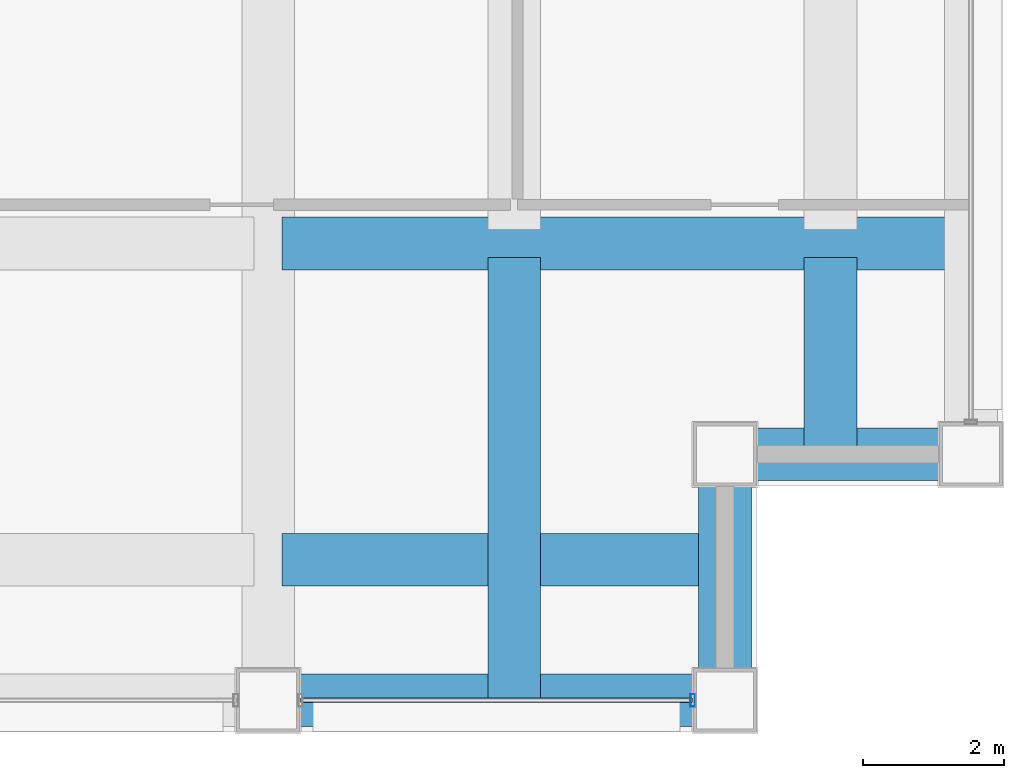
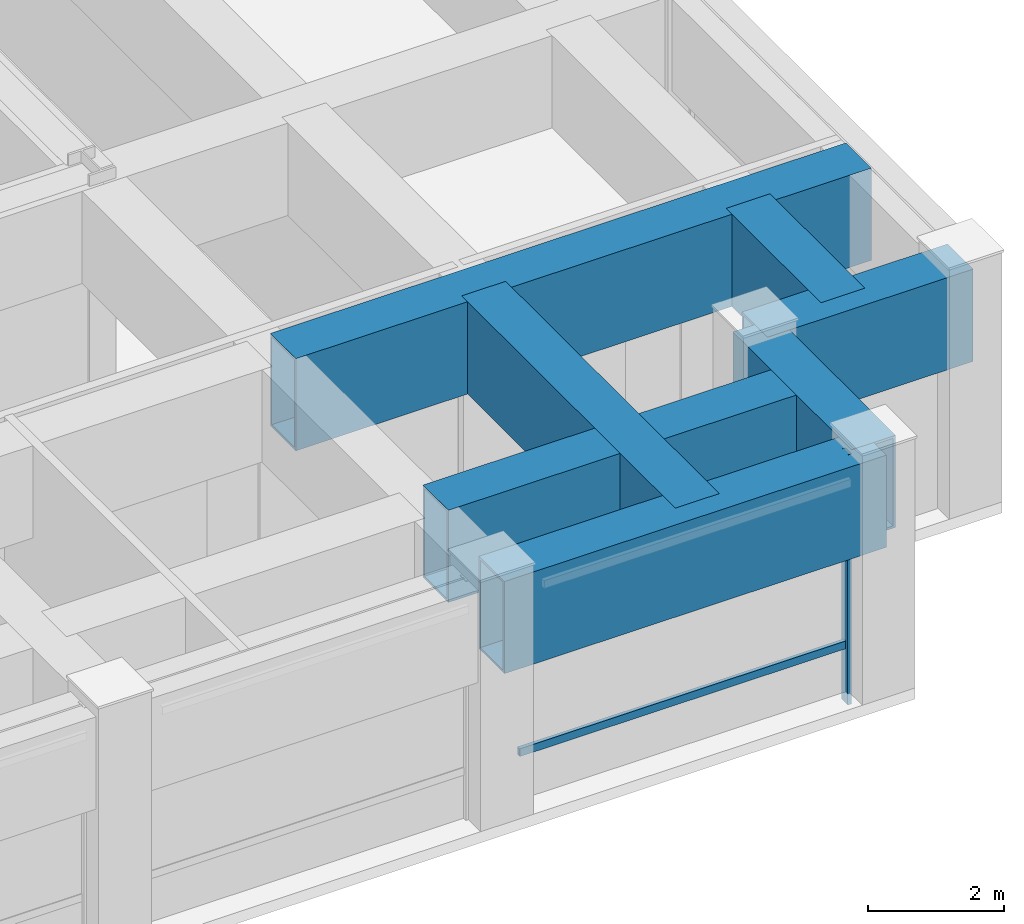
# One storey, part 12 of 29: 7 beams, 2 members, 1 element without a shape of its own.
"""IFC4 building model written with IfcOpenShell, lengths in metres."""

import ifcopenshell
import ifcopenshell.guid

model = None  # the IFC model being written
_history = None  # IfcOwnerHistory: only IFC2X3 demands one
_inside = {}  # id of a spatial element -> (the spatial element, [elements in it])
_under = {}  # id of a project, library or spatial element -> (it, [spatial elements below it])
_declared = {}  # id of a project -> (the project, [libraries it declares])
_typed = {}  # id of a type object -> (the type object, [elements of that type])
_made_of = {}  # id of a material, layer set ... -> (it, [elements and type objects made of it])


def new_model(schema):
    """Start an empty IFC model of exactly this schema.

    Asked for "IFC4X3", IfcOpenShell would pick the latest addendum, in which some entities
    have other attributes; the version numbers below select the first issue.
    IFC2X3 requires an IfcOwnerHistory on every rooted entity: one is made here for all.
    """
    global model, _history
    if schema == "IFC4X3":
        model = ifcopenshell.file(schema_version=(4, 3, 0, 0))
    else:
        model = ifcopenshell.file(schema=schema)
    _inside.clear()
    _under.clear()
    _declared.clear()
    _typed.clear()
    _made_of.clear()
    _history = None
    if model.schema == "IFC2X3":
        org = make("IfcOrganization", Name="unknown")
        user = make(
            "IfcPersonAndOrganization",
            ThePerson=make("IfcPerson", FamilyName="unknown"),
            TheOrganization=org,
        )
        app = make(
            "IfcApplication",
            ApplicationDeveloper=org,
            Version="unknown",
            ApplicationFullName="unknown",
            ApplicationIdentifier="unknown",
        )
        _history = make(
            "IfcOwnerHistory",
            OwningUser=user,
            OwningApplication=app,
            ChangeAction="ADDED",
            CreationDate=0,
        )
    return model


def make(cls, **values):
    """One entity of the class cls with the attributes given. An attribute that is None is left unset."""
    return model.create_entity(
        cls, **{name: value for name, value in values.items() if value is not None}
    )


def rooted(cls, **values):
    """An entity with a GlobalId (a new one), such as an element, a storey or a relation."""
    return make(cls, GlobalId=ifcopenshell.guid.new(), OwnerHistory=_history, **values)


def si_unit(unit_type, name, prefix=None):
    """IfcSIUnit, for example si_unit("LENGTHUNIT", "METRE", prefix="MILLI")."""
    return make("IfcSIUnit", UnitType=unit_type, Prefix=prefix, Name=name)


def assignment(units):
    """IfcUnitAssignment: the units of a project."""
    return None if units is None else make("IfcUnitAssignment", Units=units)


def point(xyz):
    """IfcCartesianPoint."""
    return None if xyz is None else make("IfcCartesianPoint", Coordinates=xyz)


def direction(xyz):
    """IfcDirection."""
    return None if xyz is None else make("IfcDirection", DirectionRatios=xyz)


def frame(location, z_axis=None, x_axis=None):
    """IfcAxis2Placement3D, a coordinate frame: its origin and axes. An axis left out is left unset."""
    return make(
        "IfcAxis2Placement3D",
        Location=point(location),
        Axis=direction(z_axis),
        RefDirection=direction(x_axis),
    )


def frame_2d(location, x_axis=None):
    """IfcAxis2Placement2D, a coordinate frame in the plane: its origin and x axis."""
    return make(
        "IfcAxis2Placement2D", Location=point(location), RefDirection=direction(x_axis)
    )


def origin():
    """The frame at (0, 0, 0) with its axes left unset."""
    return frame((0.0, 0.0, 0.0))


def origin_2d():
    """The frame at (0, 0) in the plane with its x axis left unset."""
    return frame_2d((0.0, 0.0))


def place(relative_to, where):
    """IfcLocalPlacement: puts the frame where relative to a parent placement (None: the world)."""
    return make(
        "IfcLocalPlacement", PlacementRelTo=relative_to, RelativePlacement=where
    )


def context(
    kind, dimensions, precision=None, world=None, true_north=None, identifier=None
):
    """IfcGeometricRepresentationContext, for example the 3D "Model" context."""
    return make(
        "IfcGeometricRepresentationContext",
        ContextIdentifier=identifier,
        ContextType=kind,
        CoordinateSpaceDimension=dimensions,
        Precision=precision,
        WorldCoordinateSystem=world,
        TrueNorth=true_north,
    )


def subcontext(parent, identifier, kind, view, scale=None):
    """IfcGeometricRepresentationSubContext, for example "Body" below "Model"."""
    return make(
        "IfcGeometricRepresentationSubContext",
        ContextIdentifier=identifier,
        ContextType=kind,
        ParentContext=parent,
        TargetScale=scale,
        TargetView=view,
    )


def project(units=None, contexts=None):
    """IfcProject with its units and contexts."""
    return rooted(
        "IfcProject",
        Name="project",
        RepresentationContexts=contexts,
        UnitsInContext=assignment(units),
    )


def spatial(cls, under=None, at=None, **own):
    """A site, building, storey or space (cls), placed at a placement, below another one or the project."""
    s = rooted(cls, ObjectPlacement=at, **own)
    if under is not None:
        _under.setdefault(under.id(), (under, []))[1].append(s)
    return s


def profile(cls, at=None, kind="AREA", **sizes):
    """A parametric profile (cls). Its sizes go by their IFC names, for example OverallWidth=200.0."""
    return make(cls, ProfileType=kind, Position=at, **sizes)


def hollow_rectangle(**sizes):
    """IfcRectangleHollowProfileDef."""
    return profile("IfcRectangleHollowProfileDef", **sizes)


def extrude(swept, where, along, depth):
    """IfcExtrudedAreaSolid: the profile swept, set in the frame where, extruded along a direction by depth."""
    return make(
        "IfcExtrudedAreaSolid",
        SweptArea=swept,
        Position=where,
        ExtrudedDirection=direction(along),
        Depth=depth,
    )


def shape(context_of_items, identifier, shape_type, items):
    """IfcShapeRepresentation: the items that make up one representation, for example the "Body"."""
    return make(
        "IfcShapeRepresentation",
        ContextOfItems=context_of_items,
        RepresentationIdentifier=identifier,
        RepresentationType=shape_type,
        Items=items,
    )


def material(Name=None, Category=None):
    """IfcMaterial."""
    return make("IfcMaterial", Name=Name, Category=Category)


def layer(
    of_material, thickness, ventilated=None, Name=None, Category=None, Priority=None
):
    """IfcMaterialLayer: one layer of a wall or slab, of a material (None: an air gap)."""
    return make(
        "IfcMaterialLayer",
        Material=of_material,
        LayerThickness=thickness,
        IsVentilated=ventilated,
        Name=Name,
        Category=Category,
        Priority=Priority,
    )


def layer_set(layers, Name=None):
    """IfcMaterialLayerSet."""
    return make("IfcMaterialLayerSet", MaterialLayers=layers, LayerSetName=Name)


def material_profile(
    of_material, cross_section, Name=None, Category=None, Priority=None
):
    """IfcMaterialProfile: a cross section and its material."""
    return make(
        "IfcMaterialProfile",
        Name=Name,
        Material=of_material,
        Profile=cross_section,
        Priority=Priority,
        Category=Category,
    )


def profile_set(profiles, Name=None, composite=None):
    """IfcMaterialProfileSet."""
    return make(
        "IfcMaterialProfileSet",
        Name=Name,
        MaterialProfiles=profiles,
        CompositeProfile=composite,
    )


def made_of(thing, what):
    """Note that an element or type object is made of a material, layer set ...; save() writes the relation."""
    if what is not None:
        _made_of.setdefault(what.id(), (what, []))[1].append(thing)
    return thing


def type_object(cls, material=None, **own):
    """A type object (cls), such as IfcWallType, which elements share."""
    return made_of(rooted(cls, **own), material)


def element(
    cls,
    number,
    at=None,
    inside=None,
    cuts=None,
    type_object=None,
    material=None,
    context=None,
    identifier="Body",
    shape_type=None,
    held_by="IfcProductDefinitionShape",
    body=None,
    shapes=None,
    **own,
):
    """One element of the class cls, such as IfcWall. Its Tag is "e" and its number.

    at: its placement. inside: the storey or other place that contains it. cuts: it is an
    opening in that element (IfcRelVoidsElement). A single representation is given by context,
    identifier, shape_type and body (its items); several are given by shapes. held_by: the class
    of the entity that holds the representations. save() writes the other relations.
    """
    e = rooted(cls, Tag="e%d" % number, ObjectPlacement=at, **own)
    if body is not None:
        shapes = [shape(context, identifier, shape_type, body)]
    if shapes is not None:
        e.Representation = make(held_by, Representations=shapes)
    if inside is not None:
        _inside.setdefault(inside.id(), (inside, []))[1].append(e)
    if cuts is not None:
        rooted(
            "IfcRelVoidsElement", RelatingBuildingElement=cuts, RelatedOpeningElement=e
        )
    if type_object is not None:
        _typed.setdefault(type_object.id(), (type_object, []))[1].append(e)
    return made_of(e, material)


def aggregate(whole, parts):
    """IfcRelAggregates: a whole, such as a stair, and the parts it consists of."""
    return rooted("IfcRelAggregates", RelatingObject=whole, RelatedObjects=parts)


def save(model, path):
    """Write the relations noted so far, then the file.

    IfcRelAggregates (storeys below a building ...), IfcRelContainedInSpatialStructure (elements
    in a storey), IfcRelDefinesByType, IfcRelAssociatesMaterial and IfcRelDeclares: one each for
    every whole, place, type object, material and project.
    """
    for whole, parts in _under.values():
        aggregate(whole, parts)
    for where, things in _inside.values():
        rooted(
            "IfcRelContainedInSpatialStructure",
            RelatedElements=things,
            RelatingStructure=where,
        )
    for kind, things in _typed.values():
        rooted("IfcRelDefinesByType", RelatedObjects=things, RelatingType=kind)
    for what, things in _made_of.values():
        rooted("IfcRelAssociatesMaterial", RelatedObjects=things, RelatingMaterial=what)
    for by, libraries in _declared.values():
        rooted("IfcRelDeclares", RelatingContext=by, RelatedDefinitions=libraries)
    model.write(path)


model = new_model("IFC4")

# Units and contexts
model_context = context("Model", 3, precision=1e-05, world=origin(), true_north=direction((0.0, 1.0)))
body_context = subcontext(model_context, "Body", "Model", "MODEL_VIEW")
ifc_project = project(units=[si_unit("LENGTHUNIT", "METRE"), si_unit("AREAUNIT", "SQUARE_METRE"), si_unit("VOLUMEUNIT", "CUBIC_METRE"), si_unit("PLANEANGLEUNIT", "RADIAN"), si_unit("MASSUNIT", "GRAM", prefix="KILO")], contexts=[model_context])

# Site, building, storey
site_placement = place(None, origin())
site = spatial("IfcSite", under=ifc_project, at=site_placement, CompositionType="ELEMENT")
building_placement = place(site_placement, origin())
building = spatial("IfcBuilding", under=site, at=building_placement, Name="Brelmoor Portico Tower", CompositionType="ELEMENT")
storey_placement = place(building_placement, frame((0.0, 0.0, 82.800048828125)))
storey = spatial("IfcBuildingStorey", under=building, at=storey_placement, Name="L21", CompositionType="ELEMENT", Elevation=82.800048828125)

# Beams
ifc_material_1 = material(Name="Steel Q355B", Category="steel")
ifc_material_profile_1 = material_profile(ifc_material_1, hollow_rectangle(XDim=0.75, YDim=1.659912109375, WallThickness=0.0419921875, at=origin_2d()), Name="BOX 750x1660x42")
ifc_profile_set_1 = profile_set([ifc_material_profile_1], Name="Steel Q355B")
beam_type = type_object("IfcBeamType", Name="BM-TG-Z2", PredefinedType="BEAM", material=ifc_profile_set_1)
beam_1_placement = place(storey_placement, frame((14.550048828125, -21.550048828125, 3.469970703125), z_axis=(1.0, 0.0, 0.0), x_axis=(0.0, 1.0, 0.0)))
element("IfcBeam", 1, at=beam_1_placement, inside=storey, type_object=beam_type, Name="L21 Perimeter Transfer Beam SP-05", PredefinedType="BEAM", context=body_context, shape_type="SweptSolid", body=[
    extrude(hollow_rectangle(XDim=0.75, YDim=1.659912109375, WallThickness=0.0419921875, at=origin_2d()), origin(), (0.0, 0.0, 1.0), 6.5),
])
for number, where, z_axis, x_axis, name in (
    (2, (21.050048828125, -18.050048828125, 3.469970703125), (1.0, 0.0, 0.0), (0.0, 1.0, 0.0), "L21 Perimeter Transfer Beam SP-07"),
    (3, (21.050048828125, -21.550048828125, 3.469970703125), (0.0, 1.0, 0.0), (-1.0, 0.0, 0.0), "L21 Perimeter Transfer Beam SP-20"),
):
    element("IfcBeam", number, at=place(storey_placement, frame(where, z_axis=z_axis, x_axis=x_axis)), inside=storey, type_object=beam_type, Name=name, PredefinedType="BEAM", context=body_context, shape_type="SweptSolid", body=[
        extrude(hollow_rectangle(XDim=0.75, YDim=1.659912109375, WallThickness=0.0419921875, at=origin_2d()), origin(), (0.0, 0.0, 1.0), 3.5),
    ])
beam_2_placement = place(storey_placement, frame((14.75, -19.550048828125, 3.469970703125), z_axis=(1.0, 0.0, 0.0), x_axis=(0.0, 1.0, 0.0)))
element("IfcBeam", 4, at=beam_2_placement, inside=storey, type_object=beam_type, Name="L21 Setback Transfer Girder TGN-05", PredefinedType="BEAM", context=body_context, shape_type="SweptSolid", body=[
    extrude(hollow_rectangle(XDim=0.75, YDim=1.659912109375, WallThickness=0.0419921875, at=origin_2d()), origin(), (0.0, 0.0, 1.0), 6.300048828125),
])
beam_3_placement = place(storey_placement, frame((14.75, -15.050048828125, 3.469970703125), z_axis=(1.0, 0.0, 0.0), x_axis=(0.0, 1.0, 0.0)))
element("IfcBeam", 5, at=beam_3_placement, inside=storey, type_object=beam_type, Name="L21 Setback Transfer Girder TGN-15", PredefinedType="BEAM", context=body_context, shape_type="SweptSolid", body=[
    extrude(hollow_rectangle(XDim=0.75, YDim=1.659912109375, WallThickness=0.0419921875, at=origin_2d()), origin(), (0.0, 0.0, 1.0), 9.800048828125),
])
beam_4_placement = place(storey_placement, frame((18.050048828125, -21.550048828125, 3.469970703125), z_axis=(0.0, 1.0, 0.0), x_axis=(-1.0, 0.0, 0.0)))
element("IfcBeam", 6, at=beam_4_placement, inside=storey, type_object=beam_type, Name="L21 Setback Transfer Girder TGN-26", PredefinedType="BEAM", context=body_context, shape_type="SweptSolid", body=[
    extrude(hollow_rectangle(XDim=0.75, YDim=1.659912109375, WallThickness=0.0419921875, at=origin_2d()), origin(), (0.0, 0.0, 1.0), 6.300048828125),
])
beam_5_placement = place(storey_placement, frame((22.550048828125, -18.050048828125, 3.469970703125), z_axis=(0.0, 1.0, 0.0), x_axis=(-1.0, 0.0, 0.0)))
element("IfcBeam", 7, at=beam_5_placement, inside=storey, type_object=beam_type, Name="L21 Setback Transfer Girder TGN-36", PredefinedType="BEAM", context=body_context, shape_type="SweptSolid", body=[
    extrude(hollow_rectangle(XDim=0.75, YDim=1.659912109375, WallThickness=0.0419921875, at=origin_2d()), origin(), (0.0, 0.0, 1.0), 2.800048828125),
])

# Curtain wall, members
ifc_material_2 = material(Name="Anodised Aluminium Alloy 6063-T6", Category="aluminium")
ifc_layer = layer(ifc_material_2, 0.179931640625)
ifc_layer_set = layer_set([ifc_layer], Name="Anodised Aluminium Alloy 6063-T6")
curtain_wall_type = type_object("IfcCurtainWallType", Name="CW-TOWER-Z1", PredefinedType="NOTDEFINED", material=ifc_layer_set)
curtain_wall_placement = place(storey_placement, origin())
curtain_wall = element("IfcCurtainWall", 8, at=curtain_wall_placement, inside=storey, type_object=curtain_wall_type, Name="L21 Curtain Wall CW-L21-01-5", PredefinedType="NOTDEFINED")
ifc_material_profile_2 = material_profile(ifc_material_2, hollow_rectangle(XDim=0.06494140625, YDim=0.179931640625, WallThickness=0.00390625, at=origin_2d()), Name="ALU MULLION 65x180")
ifc_profile_set_2 = profile_set([ifc_material_profile_2], Name="Anodised Aluminium Alloy 6063-T6")
member_type_1 = type_object("IfcMemberType", Name="MB-CW-MULL-180", PredefinedType="MULLION", material=ifc_profile_set_2)
member_1_placement = place(storey_placement, frame((20.590087890625, -21.550048828125, -0.199951171875), z_axis=(0.0, 0.0, 1.0), x_axis=(1.0, 0.0, 0.0)))
member_1 = element("IfcMember", 9, at=member_1_placement, type_object=member_type_1, Name="CW-L21-01-5 Mullion 01", PredefinedType="MULLION", context=body_context, shape_type="SweptSolid", body=[
    extrude(hollow_rectangle(XDim=0.06494140625, YDim=0.179931640625, WallThickness=0.00390625, at=origin_2d()), origin(), (0.0, 0.0, 1.0), 4.5),
])
ifc_material_profile_3 = material_profile(ifc_material_2, hollow_rectangle(XDim=0.06494140625, YDim=0.139892578125, WallThickness=0.00390625, at=origin_2d()), Name="ALU TRANSOM 65x140")
ifc_profile_set_3 = profile_set([ifc_material_profile_3], Name="Anodised Aluminium Alloy 6063-T6")
member_type_2 = type_object("IfcMemberType", Name="MB-CW-TRAN-140", PredefinedType="USERDEFINED", material=ifc_profile_set_3)
member_2_placement = place(storey_placement, frame((15.010009765625, -21.550048828125, 0.849853515625), z_axis=(1.0, 0.0, 0.0), x_axis=(0.0, 1.0, 0.0)))
member_2 = element("IfcMember", 10, at=member_2_placement, type_object=member_type_2, Name="CW-L21-01-5 Transom 1-00", ObjectType="TRANSOM", PredefinedType="USERDEFINED", context=body_context, shape_type="SweptSolid", body=[
    extrude(hollow_rectangle(XDim=0.06494140625, YDim=0.139892578125, WallThickness=0.00390625, at=origin_2d()), origin(), (0.0, 0.0, 1.0), 5.580078125),
])
aggregate(curtain_wall, [member_1, member_2])

save(model, "model.ifc")
